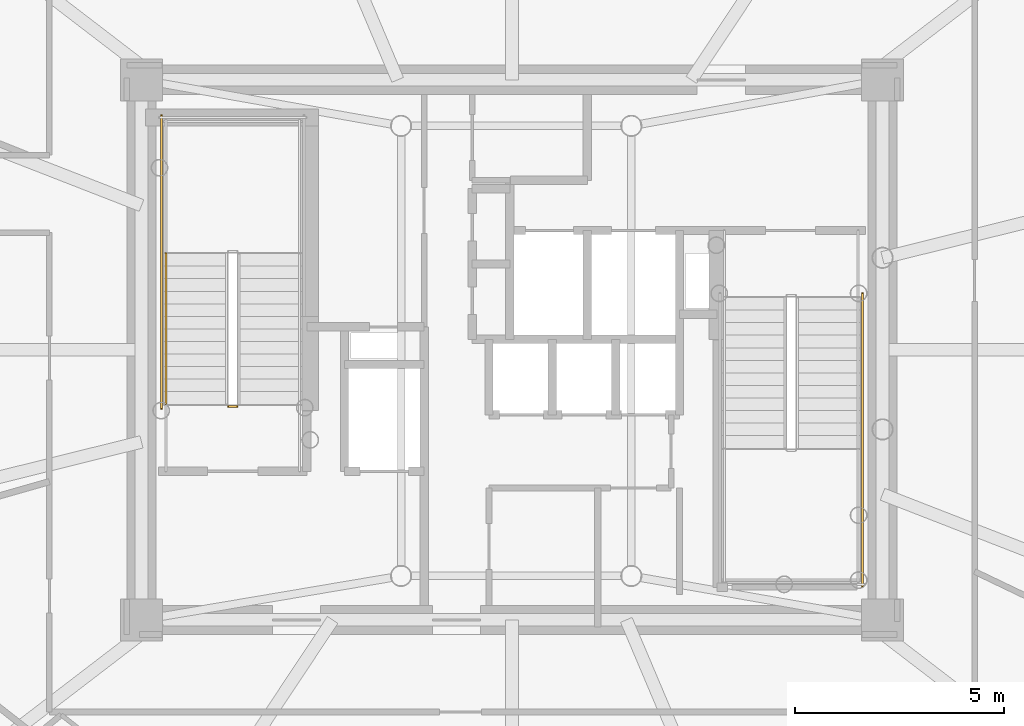
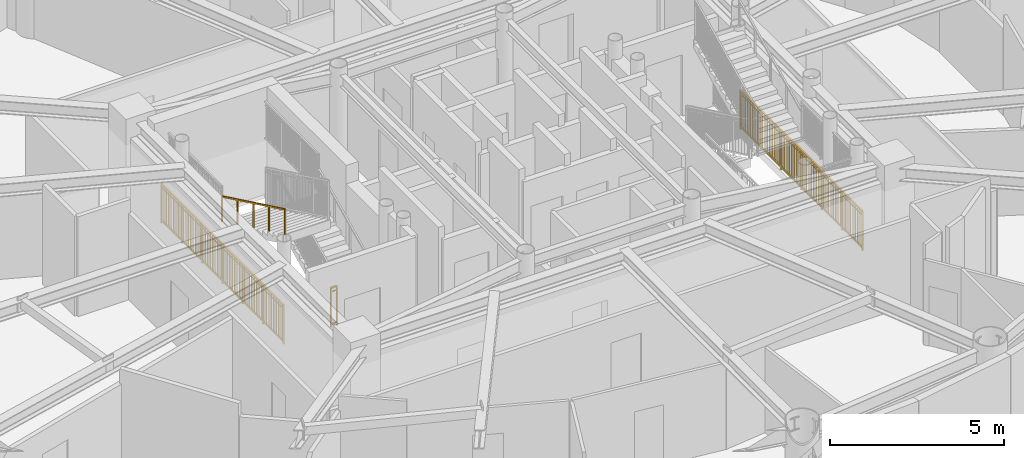
# One storey, part 13 of 17: 4 railings.
"""IFC4 building model written with IfcOpenShell, lengths in metres."""

import ifcopenshell
import ifcopenshell.guid

model = None  # the IFC model being written
_history = None  # IfcOwnerHistory: only IFC2X3 demands one
_inside = {}  # id of a spatial element -> (the spatial element, [elements in it])
_under = {}  # id of a project, library or spatial element -> (it, [spatial elements below it])
_declared = {}  # id of a project -> (the project, [libraries it declares])
_typed = {}  # id of a type object -> (the type object, [elements of that type])
_made_of = {}  # id of a material, layer set ... -> (it, [elements and type objects made of it])


def new_model(schema):
    """Start an empty IFC model of exactly this schema.

    Asked for "IFC4X3", IfcOpenShell would pick the latest addendum, in which some entities
    have other attributes; the version numbers below select the first issue.
    IFC2X3 requires an IfcOwnerHistory on every rooted entity: one is made here for all.
    """
    global model, _history
    if schema == "IFC4X3":
        model = ifcopenshell.file(schema_version=(4, 3, 0, 0))
    else:
        model = ifcopenshell.file(schema=schema)
    _inside.clear()
    _under.clear()
    _declared.clear()
    _typed.clear()
    _made_of.clear()
    _history = None
    if model.schema == "IFC2X3":
        org = make("IfcOrganization", Name="unknown")
        user = make(
            "IfcPersonAndOrganization",
            ThePerson=make("IfcPerson", FamilyName="unknown"),
            TheOrganization=org,
        )
        app = make(
            "IfcApplication",
            ApplicationDeveloper=org,
            Version="unknown",
            ApplicationFullName="unknown",
            ApplicationIdentifier="unknown",
        )
        _history = make(
            "IfcOwnerHistory",
            OwningUser=user,
            OwningApplication=app,
            ChangeAction="ADDED",
            CreationDate=0,
        )
    return model


def make(cls, **values):
    """One entity of the class cls with the attributes given. An attribute that is None is left unset."""
    return model.create_entity(
        cls, **{name: value for name, value in values.items() if value is not None}
    )


def rooted(cls, **values):
    """An entity with a GlobalId (a new one), such as an element, a storey or a relation."""
    return make(cls, GlobalId=ifcopenshell.guid.new(), OwnerHistory=_history, **values)


def si_unit(unit_type, name, prefix=None):
    """IfcSIUnit, for example si_unit("LENGTHUNIT", "METRE", prefix="MILLI")."""
    return make("IfcSIUnit", UnitType=unit_type, Prefix=prefix, Name=name)


def assignment(units):
    """IfcUnitAssignment: the units of a project."""
    return None if units is None else make("IfcUnitAssignment", Units=units)


def point(xyz):
    """IfcCartesianPoint."""
    return None if xyz is None else make("IfcCartesianPoint", Coordinates=xyz)


def direction(xyz):
    """IfcDirection."""
    return None if xyz is None else make("IfcDirection", DirectionRatios=xyz)


def frame(location, z_axis=None, x_axis=None):
    """IfcAxis2Placement3D, a coordinate frame: its origin and axes. An axis left out is left unset."""
    return make(
        "IfcAxis2Placement3D",
        Location=point(location),
        Axis=direction(z_axis),
        RefDirection=direction(x_axis),
    )


def frame_2d(location, x_axis=None):
    """IfcAxis2Placement2D, a coordinate frame in the plane: its origin and x axis."""
    return make(
        "IfcAxis2Placement2D", Location=point(location), RefDirection=direction(x_axis)
    )


def origin():
    """The frame at (0, 0, 0) with its axes left unset."""
    return frame((0.0, 0.0, 0.0))


def origin_2d():
    """The frame at (0, 0) in the plane with its x axis left unset."""
    return frame_2d((0.0, 0.0))


def place(relative_to, where):
    """IfcLocalPlacement: puts the frame where relative to a parent placement (None: the world)."""
    return make(
        "IfcLocalPlacement", PlacementRelTo=relative_to, RelativePlacement=where
    )


def context(
    kind, dimensions, precision=None, world=None, true_north=None, identifier=None
):
    """IfcGeometricRepresentationContext, for example the 3D "Model" context."""
    return make(
        "IfcGeometricRepresentationContext",
        ContextIdentifier=identifier,
        ContextType=kind,
        CoordinateSpaceDimension=dimensions,
        Precision=precision,
        WorldCoordinateSystem=world,
        TrueNorth=true_north,
    )


def subcontext(parent, identifier, kind, view, scale=None):
    """IfcGeometricRepresentationSubContext, for example "Body" below "Model"."""
    return make(
        "IfcGeometricRepresentationSubContext",
        ContextIdentifier=identifier,
        ContextType=kind,
        ParentContext=parent,
        TargetScale=scale,
        TargetView=view,
    )


def project(units=None, contexts=None):
    """IfcProject with its units and contexts."""
    return rooted(
        "IfcProject",
        Name="project",
        RepresentationContexts=contexts,
        UnitsInContext=assignment(units),
    )


def spatial(cls, under=None, at=None, **own):
    """A site, building, storey or space (cls), placed at a placement, below another one or the project."""
    s = rooted(cls, ObjectPlacement=at, **own)
    if under is not None:
        _under.setdefault(under.id(), (under, []))[1].append(s)
    return s


def profile(cls, at=None, kind="AREA", **sizes):
    """A parametric profile (cls). Its sizes go by their IFC names, for example OverallWidth=200.0."""
    return make(cls, ProfileType=kind, Position=at, **sizes)


def rectangle(**sizes):
    """IfcRectangleProfileDef."""
    return profile("IfcRectangleProfileDef", **sizes)


def extrude(swept, where, along, depth):
    """IfcExtrudedAreaSolid: the profile swept, set in the frame where, extruded along a direction by depth."""
    return make(
        "IfcExtrudedAreaSolid",
        SweptArea=swept,
        Position=where,
        ExtrudedDirection=direction(along),
        Depth=depth,
    )


def shape(context_of_items, identifier, shape_type, items):
    """IfcShapeRepresentation: the items that make up one representation, for example the "Body"."""
    return make(
        "IfcShapeRepresentation",
        ContextOfItems=context_of_items,
        RepresentationIdentifier=identifier,
        RepresentationType=shape_type,
        Items=items,
    )


def source(mapping_origin, context_of_items, identifier, shape_type, items):
    """IfcRepresentationMap: a shape defined once, which mapped items show again and again."""
    return make(
        "IfcRepresentationMap",
        MappingOrigin=mapping_origin,
        MappedRepresentation=shape(context_of_items, identifier, shape_type, items),
    )


def transform(
    local_origin,
    x_axis=None,
    y_axis=None,
    z_axis=None,
    scale=None,
    scale2=None,
    scale3=None,
    uniform=True,
):
    """IfcCartesianTransformationOperator3D, or its non-uniform kind. x_axis, y_axis, z_axis: its Axis1, 2, 3."""
    if uniform:
        return make(
            "IfcCartesianTransformationOperator3D",
            Axis1=direction(x_axis),
            Axis2=direction(y_axis),
            LocalOrigin=point(local_origin),
            Scale=scale,
            Axis3=direction(z_axis),
        )
    return make(
        "IfcCartesianTransformationOperator3DnonUniform",
        Axis1=direction(x_axis),
        Axis2=direction(y_axis),
        LocalOrigin=point(local_origin),
        Scale=scale,
        Axis3=direction(z_axis),
        Scale2=scale2,
        Scale3=scale3,
    )


def mapped(mapping_source, mapping_target):
    """IfcMappedItem: shows the shape of a source again, moved by a transform."""
    return make(
        "IfcMappedItem", MappingSource=mapping_source, MappingTarget=mapping_target
    )


def material(Name=None, Category=None):
    """IfcMaterial."""
    return make("IfcMaterial", Name=Name, Category=Category)


def made_of(thing, what):
    """Note that an element or type object is made of a material, layer set ...; save() writes the relation."""
    if what is not None:
        _made_of.setdefault(what.id(), (what, []))[1].append(thing)
    return thing


def type_object(cls, material=None, **own):
    """A type object (cls), such as IfcWallType, which elements share."""
    return made_of(rooted(cls, **own), material)


def element(
    cls,
    number,
    at=None,
    inside=None,
    cuts=None,
    type_object=None,
    material=None,
    context=None,
    identifier="Body",
    shape_type=None,
    held_by="IfcProductDefinitionShape",
    body=None,
    shapes=None,
    **own,
):
    """One element of the class cls, such as IfcWall. Its Tag is "e" and its number.

    at: its placement. inside: the storey or other place that contains it. cuts: it is an
    opening in that element (IfcRelVoidsElement). A single representation is given by context,
    identifier, shape_type and body (its items); several are given by shapes. held_by: the class
    of the entity that holds the representations. save() writes the other relations.
    """
    e = rooted(cls, Tag="e%d" % number, ObjectPlacement=at, **own)
    if body is not None:
        shapes = [shape(context, identifier, shape_type, body)]
    if shapes is not None:
        e.Representation = make(held_by, Representations=shapes)
    if inside is not None:
        _inside.setdefault(inside.id(), (inside, []))[1].append(e)
    if cuts is not None:
        rooted(
            "IfcRelVoidsElement", RelatingBuildingElement=cuts, RelatedOpeningElement=e
        )
    if type_object is not None:
        _typed.setdefault(type_object.id(), (type_object, []))[1].append(e)
    return made_of(e, material)


def aggregate(whole, parts):
    """IfcRelAggregates: a whole, such as a stair, and the parts it consists of."""
    return rooted("IfcRelAggregates", RelatingObject=whole, RelatedObjects=parts)


def save(model, path):
    """Write the relations noted so far, then the file.

    IfcRelAggregates (storeys below a building ...), IfcRelContainedInSpatialStructure (elements
    in a storey), IfcRelDefinesByType, IfcRelAssociatesMaterial and IfcRelDeclares: one each for
    every whole, place, type object, material and project.
    """
    for whole, parts in _under.values():
        aggregate(whole, parts)
    for where, things in _inside.values():
        rooted(
            "IfcRelContainedInSpatialStructure",
            RelatedElements=things,
            RelatingStructure=where,
        )
    for kind, things in _typed.values():
        rooted("IfcRelDefinesByType", RelatedObjects=things, RelatingType=kind)
    for what, things in _made_of.values():
        rooted("IfcRelAssociatesMaterial", RelatedObjects=things, RelatingMaterial=what)
    for by, libraries in _declared.values():
        rooted("IfcRelDeclares", RelatingContext=by, RelatedDefinitions=libraries)
    model.write(path)


model = new_model("IFC4")

# Units and contexts
model_context = context("Model", 3, precision=1e-05, world=origin(), true_north=direction((0.0, 1.0)))
body_context = subcontext(model_context, "Body", "Model", "MODEL_VIEW")
ifc_project = project(units=[si_unit("LENGTHUNIT", "METRE"), si_unit("AREAUNIT", "SQUARE_METRE"), si_unit("VOLUMEUNIT", "CUBIC_METRE"), si_unit("PLANEANGLEUNIT", "RADIAN"), si_unit("MASSUNIT", "GRAM", prefix="KILO")], contexts=[model_context])

# Site, building, storey
site_placement = place(None, origin())
site = spatial("IfcSite", under=ifc_project, at=site_placement, CompositionType="ELEMENT")
building_placement = place(site_placement, origin())
building = spatial("IfcBuilding", under=site, at=building_placement, Name="Linh Dai School and Residence Tower", CompositionType="ELEMENT")
storey_placement = place(building_placement, frame((0.0, 0.0, 310.5)))
storey = spatial("IfcBuildingStorey", under=building, at=storey_placement, Name="L77", CompositionType="ELEMENT", Elevation=310.5)

# Railings
ifc_material_1 = material(Name="Structural Steel S355JR", Category="steel")
railing_type_1 = type_object("IfcRailingType", Name="RL-ST-GUARD-1400", PredefinedType="GUARDRAIL", material=ifc_material_1)
shared_shape_1 = source(origin(), body_context, "Body", "SweptSolid", [
    extrude(rectangle(XDim=0.048095703125, YDim=0.048095703125, at=origin_2d()), frame((0.0, 0.0, 1.3759765625), z_axis=(-1.0, 0.0, 0.0), x_axis=(0.0, -1.0, 0.0)), (0.0, 0.0, 1.0), 0.199951171875),
    extrude(rectangle(XDim=0.048095703125, YDim=0.048095703125, at=origin_2d()), frame((0.0, 0.0, 0.10009765625), z_axis=(-1.0, 0.0, 0.0), x_axis=(0.0, -1.0, 0.0)), (0.0, 0.0, 1.0), 0.199951171875),
    extrude(rectangle(XDim=0.030029296875, YDim=0.030029296875, at=origin_2d()), frame((0.0, 0.0, 1.239990234375), z_axis=(-1.0, 0.0, 0.0), x_axis=(0.0, -1.0, 0.0)), (0.0, 0.0, 1.0), 0.199951171875),
    extrude(rectangle(XDim=0.0419921875, YDim=0.0419921875, at=origin_2d()), origin(), (0.0, 0.0, 1.0), 1.3759765625),
    extrude(rectangle(XDim=0.0419921875, YDim=0.0419921875, at=origin_2d()), frame((-0.199951171875, 0.0, 0.0)), (0.0, 0.0, 1.0), 1.3759765625),
])
railing_1_placement = place(storey_placement, frame((29.429931640625, 25.64990234375, 0.0)))
element("IfcRailing", 1, at=railing_1_placement, inside=storey, type_object=railing_type_1, Name="L77 ST1 stair guard 7", PredefinedType="GUARDRAIL", context=body_context, shape_type="MappedRepresentation", body=[
    mapped(shared_shape_1, transform((0.0, 0.0, 0.0), x_axis=(1.0, 0.0, 0.0), y_axis=(0.0, 1.0, 0.0), z_axis=(0.0, 0.0, 1.0), scale=1.0)),
])
shared_shape_2 = source(origin(), body_context, "Body", "SweptSolid", [
    extrude(rectangle(XDim=0.048095703125, YDim=0.048095703125, at=origin_2d()), frame((0.0, 0.0, 1.3759765625), z_axis=(0.0, 1.0, 0.0), x_axis=(-1.0, 0.0, 0.0)), (0.0, 0.0, 1.0), 7.0),
    extrude(rectangle(XDim=0.048095703125, YDim=0.048095703125, at=origin_2d()), frame((0.0, 0.0, 0.10009765625), z_axis=(0.0, 1.0, 0.0), x_axis=(-1.0, 0.0, 0.0)), (0.0, 0.0, 1.0), 7.0),
    extrude(rectangle(XDim=0.030029296875, YDim=0.030029296875, at=origin_2d()), frame((0.0, 0.0, 1.239990234375), z_axis=(0.0, 1.0, 0.0), x_axis=(-1.0, 0.0, 0.0)), (0.0, 0.0, 1.0), 7.0),
    extrude(rectangle(XDim=0.02001953125, YDim=0.02001953125, at=origin_2d()), frame((0.0, 0.09716796875, 0.10009765625)), (0.0, 0.0, 1.0), 1.251708984375),
    extrude(rectangle(XDim=0.02001953125, YDim=0.02001953125, at=origin_2d()), frame((0.0, 0.1943359375, 0.10009765625)), (0.0, 0.0, 1.0), 1.251708984375),
    extrude(rectangle(XDim=0.02001953125, YDim=0.02001953125, at=origin_2d()), frame((0.0, 0.291748046875, 0.10009765625)), (0.0, 0.0, 1.0), 1.251708984375),
    extrude(rectangle(XDim=0.02001953125, YDim=0.02001953125, at=origin_2d()), frame((0.0, 0.388916015625, 0.10009765625)), (0.0, 0.0, 1.0), 1.251708984375),
    extrude(rectangle(XDim=0.02001953125, YDim=0.02001953125, at=origin_2d()), frame((0.0, 0.486083984375, 0.10009765625)), (0.0, 0.0, 1.0), 1.251708984375),
    extrude(rectangle(XDim=0.02001953125, YDim=0.02001953125, at=origin_2d()), frame((0.0, 0.583251953125, 0.10009765625)), (0.0, 0.0, 1.0), 1.251708984375),
    extrude(rectangle(XDim=0.02001953125, YDim=0.02001953125, at=origin_2d()), frame((0.0, 0.6806640625, 0.10009765625)), (0.0, 0.0, 1.0), 1.251708984375),
    extrude(rectangle(XDim=0.02001953125, YDim=0.02001953125, at=origin_2d()), frame((0.0, 0.77783203125, 0.10009765625)), (0.0, 0.0, 1.0), 1.251708984375),
    extrude(rectangle(XDim=0.02001953125, YDim=0.02001953125, at=origin_2d()), frame((0.0, 0.875, 0.10009765625)), (0.0, 0.0, 1.0), 1.251708984375),
    extrude(rectangle(XDim=0.02001953125, YDim=0.02001953125, at=origin_2d()), frame((0.0, 0.97216796875, 0.10009765625)), (0.0, 0.0, 1.0), 1.251708984375),
    extrude(rectangle(XDim=0.02001953125, YDim=0.02001953125, at=origin_2d()), frame((0.0, 1.0693359375, 0.10009765625)), (0.0, 0.0, 1.0), 1.251708984375),
    extrude(rectangle(XDim=0.02001953125, YDim=0.02001953125, at=origin_2d()), frame((0.0, 1.263916015625, 0.10009765625)), (0.0, 0.0, 1.0), 1.251708984375),
    extrude(rectangle(XDim=0.02001953125, YDim=0.02001953125, at=origin_2d()), frame((0.0, 1.361083984375, 0.10009765625)), (0.0, 0.0, 1.0), 1.251708984375),
    extrude(rectangle(XDim=0.02001953125, YDim=0.02001953125, at=origin_2d()), frame((0.0, 1.458251953125, 0.10009765625)), (0.0, 0.0, 1.0), 1.251708984375),
    extrude(rectangle(XDim=0.02001953125, YDim=0.02001953125, at=origin_2d()), frame((0.0, 1.5556640625, 0.10009765625)), (0.0, 0.0, 1.0), 1.251708984375),
    extrude(rectangle(XDim=0.02001953125, YDim=0.02001953125, at=origin_2d()), frame((0.0, 1.65283203125, 0.10009765625)), (0.0, 0.0, 1.0), 1.251708984375),
    extrude(rectangle(XDim=0.02001953125, YDim=0.02001953125, at=origin_2d()), frame((0.0, 1.75, 0.10009765625)), (0.0, 0.0, 1.0), 1.251708984375),
    extrude(rectangle(XDim=0.02001953125, YDim=0.02001953125, at=origin_2d()), frame((0.0, 1.84716796875, 0.10009765625)), (0.0, 0.0, 1.0), 1.251708984375),
    extrude(rectangle(XDim=0.02001953125, YDim=0.02001953125, at=origin_2d()), frame((0.0, 1.9443359375, 0.10009765625)), (0.0, 0.0, 1.0), 1.251708984375),
    extrude(rectangle(XDim=0.02001953125, YDim=0.02001953125, at=origin_2d()), frame((0.0, 2.041748046875, 0.10009765625)), (0.0, 0.0, 1.0), 1.251708984375),
    extrude(rectangle(XDim=0.02001953125, YDim=0.02001953125, at=origin_2d()), frame((0.0, 2.138916015625, 0.10009765625)), (0.0, 0.0, 1.0), 1.251708984375),
    extrude(rectangle(XDim=0.02001953125, YDim=0.02001953125, at=origin_2d()), frame((0.0, 2.236083984375, 0.10009765625)), (0.0, 0.0, 1.0), 1.251708984375),
    extrude(rectangle(XDim=0.02001953125, YDim=0.02001953125, at=origin_2d()), frame((0.0, 2.4306640625, 0.10009765625)), (0.0, 0.0, 1.0), 1.251708984375),
    extrude(rectangle(XDim=0.02001953125, YDim=0.02001953125, at=origin_2d()), frame((0.0, 2.52783203125, 0.10009765625)), (0.0, 0.0, 1.0), 1.251708984375),
    extrude(rectangle(XDim=0.02001953125, YDim=0.02001953125, at=origin_2d()), frame((0.0, 2.625, 0.10009765625)), (0.0, 0.0, 1.0), 1.251708984375),
    extrude(rectangle(XDim=0.02001953125, YDim=0.02001953125, at=origin_2d()), frame((0.0, 2.72216796875, 0.10009765625)), (0.0, 0.0, 1.0), 1.251708984375),
    extrude(rectangle(XDim=0.02001953125, YDim=0.02001953125, at=origin_2d()), frame((0.0, 2.8193359375, 0.10009765625)), (0.0, 0.0, 1.0), 1.251708984375),
    extrude(rectangle(XDim=0.02001953125, YDim=0.02001953125, at=origin_2d()), frame((0.0, 2.916748046875, 0.10009765625)), (0.0, 0.0, 1.0), 1.251708984375),
    extrude(rectangle(XDim=0.02001953125, YDim=0.02001953125, at=origin_2d()), frame((0.0, 3.013916015625, 0.10009765625)), (0.0, 0.0, 1.0), 1.251708984375),
    extrude(rectangle(XDim=0.02001953125, YDim=0.02001953125, at=origin_2d()), frame((0.0, 3.111083984375, 0.10009765625)), (0.0, 0.0, 1.0), 1.251708984375),
    extrude(rectangle(XDim=0.02001953125, YDim=0.02001953125, at=origin_2d()), frame((0.0, 3.208251953125, 0.10009765625)), (0.0, 0.0, 1.0), 1.251708984375),
    extrude(rectangle(XDim=0.02001953125, YDim=0.02001953125, at=origin_2d()), frame((0.0, 3.3056640625, 0.10009765625)), (0.0, 0.0, 1.0), 1.251708984375),
    extrude(rectangle(XDim=0.02001953125, YDim=0.02001953125, at=origin_2d()), frame((0.0, 3.40283203125, 0.10009765625)), (0.0, 0.0, 1.0), 1.251708984375),
    extrude(rectangle(XDim=0.02001953125, YDim=0.02001953125, at=origin_2d()), frame((0.0, 3.59716796875, 0.10009765625)), (0.0, 0.0, 1.0), 1.251708984375),
    extrude(rectangle(XDim=0.02001953125, YDim=0.02001953125, at=origin_2d()), frame((0.0, 3.6943359375, 0.10009765625)), (0.0, 0.0, 1.0), 1.251708984375),
    extrude(rectangle(XDim=0.02001953125, YDim=0.02001953125, at=origin_2d()), frame((0.0, 3.791748046875, 0.10009765625)), (0.0, 0.0, 1.0), 1.251708984375),
    extrude(rectangle(XDim=0.02001953125, YDim=0.02001953125, at=origin_2d()), frame((0.0, 3.888916015625, 0.10009765625)), (0.0, 0.0, 1.0), 1.251708984375),
    extrude(rectangle(XDim=0.02001953125, YDim=0.02001953125, at=origin_2d()), frame((0.0, 3.986083984375, 0.10009765625)), (0.0, 0.0, 1.0), 1.251708984375),
    extrude(rectangle(XDim=0.02001953125, YDim=0.02001953125, at=origin_2d()), frame((0.0, 4.083251953125, 0.10009765625)), (0.0, 0.0, 1.0), 1.251708984375),
    extrude(rectangle(XDim=0.02001953125, YDim=0.02001953125, at=origin_2d()), frame((0.0, 4.1806640625, 0.10009765625)), (0.0, 0.0, 1.0), 1.251708984375),
    extrude(rectangle(XDim=0.02001953125, YDim=0.02001953125, at=origin_2d()), frame((0.0, 4.27783203125, 0.10009765625)), (0.0, 0.0, 1.0), 1.251708984375),
    extrude(rectangle(XDim=0.02001953125, YDim=0.02001953125, at=origin_2d()), frame((0.0, 4.375, 0.10009765625)), (0.0, 0.0, 1.0), 1.251708984375),
    extrude(rectangle(XDim=0.02001953125, YDim=0.02001953125, at=origin_2d()), frame((0.0, 4.47216796875, 0.10009765625)), (0.0, 0.0, 1.0), 1.251708984375),
    extrude(rectangle(XDim=0.02001953125, YDim=0.02001953125, at=origin_2d()), frame((0.0, 4.5693359375, 0.10009765625)), (0.0, 0.0, 1.0), 1.251708984375),
    extrude(rectangle(XDim=0.02001953125, YDim=0.02001953125, at=origin_2d()), frame((0.0, 4.763916015625, 0.10009765625)), (0.0, 0.0, 1.0), 1.251708984375),
    extrude(rectangle(XDim=0.02001953125, YDim=0.02001953125, at=origin_2d()), frame((0.0, 4.861083984375, 0.10009765625)), (0.0, 0.0, 1.0), 1.251708984375),
    extrude(rectangle(XDim=0.02001953125, YDim=0.02001953125, at=origin_2d()), frame((0.0, 4.958251953125, 0.10009765625)), (0.0, 0.0, 1.0), 1.251708984375),
    extrude(rectangle(XDim=0.02001953125, YDim=0.02001953125, at=origin_2d()), frame((0.0, 5.0556640625, 0.10009765625)), (0.0, 0.0, 1.0), 1.251708984375),
    extrude(rectangle(XDim=0.02001953125, YDim=0.02001953125, at=origin_2d()), frame((0.0, 5.15283203125, 0.10009765625)), (0.0, 0.0, 1.0), 1.251708984375),
    extrude(rectangle(XDim=0.02001953125, YDim=0.02001953125, at=origin_2d()), frame((0.0, 5.25, 0.10009765625)), (0.0, 0.0, 1.0), 1.251708984375),
    extrude(rectangle(XDim=0.02001953125, YDim=0.02001953125, at=origin_2d()), frame((0.0, 5.34716796875, 0.10009765625)), (0.0, 0.0, 1.0), 1.251708984375),
    extrude(rectangle(XDim=0.02001953125, YDim=0.02001953125, at=origin_2d()), frame((0.0, 5.4443359375, 0.10009765625)), (0.0, 0.0, 1.0), 1.251708984375),
    extrude(rectangle(XDim=0.02001953125, YDim=0.02001953125, at=origin_2d()), frame((0.0, 5.541748046875, 0.10009765625)), (0.0, 0.0, 1.0), 1.251708984375),
    extrude(rectangle(XDim=0.02001953125, YDim=0.02001953125, at=origin_2d()), frame((0.0, 5.638916015625, 0.10009765625)), (0.0, 0.0, 1.0), 1.251708984375),
    extrude(rectangle(XDim=0.02001953125, YDim=0.02001953125, at=origin_2d()), frame((0.0, 5.736083984375, 0.10009765625)), (0.0, 0.0, 1.0), 1.251708984375),
    extrude(rectangle(XDim=0.02001953125, YDim=0.02001953125, at=origin_2d()), frame((0.0, 5.9306640625, 0.10009765625)), (0.0, 0.0, 1.0), 1.251708984375),
    extrude(rectangle(XDim=0.02001953125, YDim=0.02001953125, at=origin_2d()), frame((0.0, 6.02783203125, 0.10009765625)), (0.0, 0.0, 1.0), 1.251708984375),
    extrude(rectangle(XDim=0.02001953125, YDim=0.02001953125, at=origin_2d()), frame((0.0, 6.125, 0.10009765625)), (0.0, 0.0, 1.0), 1.251708984375),
    extrude(rectangle(XDim=0.02001953125, YDim=0.02001953125, at=origin_2d()), frame((0.0, 6.22216796875, 0.10009765625)), (0.0, 0.0, 1.0), 1.251708984375),
    extrude(rectangle(XDim=0.02001953125, YDim=0.02001953125, at=origin_2d()), frame((0.0, 6.3193359375, 0.10009765625)), (0.0, 0.0, 1.0), 1.251708984375),
    extrude(rectangle(XDim=0.02001953125, YDim=0.02001953125, at=origin_2d()), frame((0.0, 6.416748046875, 0.10009765625)), (0.0, 0.0, 1.0), 1.251708984375),
    extrude(rectangle(XDim=0.02001953125, YDim=0.02001953125, at=origin_2d()), frame((0.0, 6.513916015625, 0.10009765625)), (0.0, 0.0, 1.0), 1.251708984375),
    extrude(rectangle(XDim=0.02001953125, YDim=0.02001953125, at=origin_2d()), frame((0.0, 6.611083984375, 0.10009765625)), (0.0, 0.0, 1.0), 1.251708984375),
    extrude(rectangle(XDim=0.02001953125, YDim=0.02001953125, at=origin_2d()), frame((0.0, 6.708251953125, 0.10009765625)), (0.0, 0.0, 1.0), 1.251708984375),
    extrude(rectangle(XDim=0.02001953125, YDim=0.02001953125, at=origin_2d()), frame((0.0, 6.8056640625, 0.10009765625)), (0.0, 0.0, 1.0), 1.251708984375),
    extrude(rectangle(XDim=0.02001953125, YDim=0.02001953125, at=origin_2d()), frame((0.0, 6.90283203125, 0.10009765625)), (0.0, 0.0, 1.0), 1.251708984375),
    extrude(rectangle(XDim=0.0419921875, YDim=0.0419921875, at=origin_2d()), origin(), (0.0, 0.0, 1.0), 1.3759765625),
    extrude(rectangle(XDim=0.0419921875, YDim=0.0419921875, at=origin_2d()), frame((0.0, 1.166748046875, 0.0)), (0.0, 0.0, 1.0), 1.3759765625),
    extrude(rectangle(XDim=0.0419921875, YDim=0.0419921875, at=origin_2d()), frame((0.0, 2.333251953125, 0.0)), (0.0, 0.0, 1.0), 1.3759765625),
    extrude(rectangle(XDim=0.0419921875, YDim=0.0419921875, at=origin_2d()), frame((0.0, 3.5, 0.0)), (0.0, 0.0, 1.0), 1.3759765625),
    extrude(rectangle(XDim=0.0419921875, YDim=0.0419921875, at=origin_2d()), frame((0.0, 4.666748046875, 0.0)), (0.0, 0.0, 1.0), 1.3759765625),
    extrude(rectangle(XDim=0.0419921875, YDim=0.0419921875, at=origin_2d()), frame((0.0, 5.833251953125, 0.0)), (0.0, 0.0, 1.0), 1.3759765625),
    extrude(rectangle(XDim=0.0419921875, YDim=0.0419921875, at=origin_2d()), frame((0.0, 7.0, 0.0)), (0.0, 0.0, 1.0), 1.3759765625),
])
railing_2_placement = place(storey_placement, frame((27.6298828125, 25.60009765625, 0.0)))
element("IfcRailing", 2, at=railing_2_placement, inside=storey, type_object=railing_type_1, Name="L77 ST1 stair guard 11", PredefinedType="GUARDRAIL", context=body_context, shape_type="MappedRepresentation", body=[
    mapped(shared_shape_2, transform((0.0, 0.0, 0.0), x_axis=(1.0, 0.0, 0.0), y_axis=(0.0, 1.0, 0.0), z_axis=(0.0, 0.0, 1.0), scale=1.0)),
])
ifc_material_2 = material(Name="Brushed Stainless Steel Handrail", Category="steel")
railing_type_2 = type_object("IfcRailingType", Name="RL-ST-HANDRAIL-900", PredefinedType="HANDRAIL", material=ifc_material_2)
shared_shape_3 = source(origin(), body_context, "Body", "SweptSolid", [
    extrude(rectangle(XDim=0.048095703125, YDim=0.048095703125, at=origin_2d()), frame((0.0, 0.0, 0.8759765625), z_axis=(0.0, -0.901262522062, 0.433273431364), x_axis=(1.0, 0.0, 0.0)), (0.0, 0.0, 1.0), 3.994384765625),
    extrude(rectangle(XDim=0.0419921875, YDim=0.0419921875, at=origin_2d()), origin(), (0.0, 0.0, 1.0), 0.8759765625),
    extrude(rectangle(XDim=0.0419921875, YDim=0.0419921875, at=origin_2d()), frame((0.0, -0.89990234375, 0.4326171875)), (0.0, 0.0, 1.0), 0.8759765625),
    extrude(rectangle(XDim=0.0419921875, YDim=0.0419921875, at=origin_2d()), frame((0.0, -1.800048828125, 0.865234375)), (0.0, 0.0, 1.0), 0.8759765625),
    extrude(rectangle(XDim=0.0419921875, YDim=0.0419921875, at=origin_2d()), frame((0.0, -2.7001953125, 1.298095703125)), (0.0, 0.0, 1.0), 0.8759765625),
    extrude(rectangle(XDim=0.0419921875, YDim=0.0419921875, at=origin_2d()), frame((0.0, -3.60009765625, 1.730712890625)), (0.0, 0.0, 1.0), 0.8759765625),
])
railing_3_placement = place(storey_placement, frame((27.72998046875, 29.300048828125, 2.019287109375)))
element("IfcRailing", 3, at=railing_3_placement, inside=storey, type_object=railing_type_2, Name="L77 ST1 stair handrail 2", PredefinedType="HANDRAIL", context=body_context, shape_type="MappedRepresentation", body=[
    mapped(shared_shape_3, transform((0.0, 0.0, 0.0), x_axis=(1.0, 0.0, 0.0), y_axis=(0.0, 1.0, 0.0), z_axis=(0.0, 0.0, 1.0), scale=1.0)),
])
shared_shape_4 = source(origin(), body_context, "Body", "SweptSolid", [
    extrude(rectangle(XDim=0.048095703125, YDim=0.048095703125, at=origin_2d()), frame((0.0, 0.0, 1.3759765625), z_axis=(0.0, -1.0, 0.0), x_axis=(1.0, 0.0, 0.0)), (0.0, 0.0, 1.0), 7.0),
    extrude(rectangle(XDim=0.048095703125, YDim=0.048095703125, at=origin_2d()), frame((0.0, 0.0, 0.10009765625), z_axis=(0.0, -1.0, 0.0), x_axis=(1.0, 0.0, 0.0)), (0.0, 0.0, 1.0), 7.0),
    extrude(rectangle(XDim=0.030029296875, YDim=0.030029296875, at=origin_2d()), frame((0.0, 0.0, 1.239990234375), z_axis=(0.0, -1.0, 0.0), x_axis=(1.0, 0.0, 0.0)), (0.0, 0.0, 1.0), 7.0),
    extrude(rectangle(XDim=0.02001953125, YDim=0.02001953125, at=origin_2d()), frame((0.0, -0.09716796875, 0.10009765625)), (0.0, 0.0, 1.0), 1.251708984375),
    extrude(rectangle(XDim=0.02001953125, YDim=0.02001953125, at=origin_2d()), frame((0.0, -0.1943359375, 0.10009765625)), (0.0, 0.0, 1.0), 1.251708984375),
    extrude(rectangle(XDim=0.02001953125, YDim=0.02001953125, at=origin_2d()), frame((0.0, -0.291748046875, 0.10009765625)), (0.0, 0.0, 1.0), 1.251708984375),
    extrude(rectangle(XDim=0.02001953125, YDim=0.02001953125, at=origin_2d()), frame((0.0, -0.388916015625, 0.10009765625)), (0.0, 0.0, 1.0), 1.251708984375),
    extrude(rectangle(XDim=0.02001953125, YDim=0.02001953125, at=origin_2d()), frame((0.0, -0.486083984375, 0.10009765625)), (0.0, 0.0, 1.0), 1.251708984375),
    extrude(rectangle(XDim=0.02001953125, YDim=0.02001953125, at=origin_2d()), frame((0.0, -0.583251953125, 0.10009765625)), (0.0, 0.0, 1.0), 1.251708984375),
    extrude(rectangle(XDim=0.02001953125, YDim=0.02001953125, at=origin_2d()), frame((0.0, -0.6806640625, 0.10009765625)), (0.0, 0.0, 1.0), 1.251708984375),
    extrude(rectangle(XDim=0.02001953125, YDim=0.02001953125, at=origin_2d()), frame((0.0, -0.77783203125, 0.10009765625)), (0.0, 0.0, 1.0), 1.251708984375),
    extrude(rectangle(XDim=0.02001953125, YDim=0.02001953125, at=origin_2d()), frame((0.0, -0.875, 0.10009765625)), (0.0, 0.0, 1.0), 1.251708984375),
    extrude(rectangle(XDim=0.02001953125, YDim=0.02001953125, at=origin_2d()), frame((0.0, -0.97216796875, 0.10009765625)), (0.0, 0.0, 1.0), 1.251708984375),
    extrude(rectangle(XDim=0.02001953125, YDim=0.02001953125, at=origin_2d()), frame((0.0, -1.0693359375, 0.10009765625)), (0.0, 0.0, 1.0), 1.251708984375),
    extrude(rectangle(XDim=0.02001953125, YDim=0.02001953125, at=origin_2d()), frame((0.0, -1.263916015625, 0.10009765625)), (0.0, 0.0, 1.0), 1.251708984375),
    extrude(rectangle(XDim=0.02001953125, YDim=0.02001953125, at=origin_2d()), frame((0.0, -1.361083984375, 0.10009765625)), (0.0, 0.0, 1.0), 1.251708984375),
    extrude(rectangle(XDim=0.02001953125, YDim=0.02001953125, at=origin_2d()), frame((0.0, -1.458251953125, 0.10009765625)), (0.0, 0.0, 1.0), 1.251708984375),
    extrude(rectangle(XDim=0.02001953125, YDim=0.02001953125, at=origin_2d()), frame((0.0, -1.5556640625, 0.10009765625)), (0.0, 0.0, 1.0), 1.251708984375),
    extrude(rectangle(XDim=0.02001953125, YDim=0.02001953125, at=origin_2d()), frame((0.0, -1.65283203125, 0.10009765625)), (0.0, 0.0, 1.0), 1.251708984375),
    extrude(rectangle(XDim=0.02001953125, YDim=0.02001953125, at=origin_2d()), frame((0.0, -1.75, 0.10009765625)), (0.0, 0.0, 1.0), 1.251708984375),
    extrude(rectangle(XDim=0.02001953125, YDim=0.02001953125, at=origin_2d()), frame((0.0, -1.84716796875, 0.10009765625)), (0.0, 0.0, 1.0), 1.251708984375),
    extrude(rectangle(XDim=0.02001953125, YDim=0.02001953125, at=origin_2d()), frame((0.0, -1.9443359375, 0.10009765625)), (0.0, 0.0, 1.0), 1.251708984375),
    extrude(rectangle(XDim=0.02001953125, YDim=0.02001953125, at=origin_2d()), frame((0.0, -2.041748046875, 0.10009765625)), (0.0, 0.0, 1.0), 1.251708984375),
    extrude(rectangle(XDim=0.02001953125, YDim=0.02001953125, at=origin_2d()), frame((0.0, -2.138916015625, 0.10009765625)), (0.0, 0.0, 1.0), 1.251708984375),
    extrude(rectangle(XDim=0.02001953125, YDim=0.02001953125, at=origin_2d()), frame((0.0, -2.236083984375, 0.10009765625)), (0.0, 0.0, 1.0), 1.251708984375),
    extrude(rectangle(XDim=0.02001953125, YDim=0.02001953125, at=origin_2d()), frame((0.0, -2.4306640625, 0.10009765625)), (0.0, 0.0, 1.0), 1.251708984375),
    extrude(rectangle(XDim=0.02001953125, YDim=0.02001953125, at=origin_2d()), frame((0.0, -2.52783203125, 0.10009765625)), (0.0, 0.0, 1.0), 1.251708984375),
    extrude(rectangle(XDim=0.02001953125, YDim=0.02001953125, at=origin_2d()), frame((0.0, -2.625, 0.10009765625)), (0.0, 0.0, 1.0), 1.251708984375),
    extrude(rectangle(XDim=0.02001953125, YDim=0.02001953125, at=origin_2d()), frame((0.0, -2.72216796875, 0.10009765625)), (0.0, 0.0, 1.0), 1.251708984375),
    extrude(rectangle(XDim=0.02001953125, YDim=0.02001953125, at=origin_2d()), frame((0.0, -2.8193359375, 0.10009765625)), (0.0, 0.0, 1.0), 1.251708984375),
    extrude(rectangle(XDim=0.02001953125, YDim=0.02001953125, at=origin_2d()), frame((0.0, -2.916748046875, 0.10009765625)), (0.0, 0.0, 1.0), 1.251708984375),
    extrude(rectangle(XDim=0.02001953125, YDim=0.02001953125, at=origin_2d()), frame((0.0, -3.013916015625, 0.10009765625)), (0.0, 0.0, 1.0), 1.251708984375),
    extrude(rectangle(XDim=0.02001953125, YDim=0.02001953125, at=origin_2d()), frame((0.0, -3.111083984375, 0.10009765625)), (0.0, 0.0, 1.0), 1.251708984375),
    extrude(rectangle(XDim=0.02001953125, YDim=0.02001953125, at=origin_2d()), frame((0.0, -3.208251953125, 0.10009765625)), (0.0, 0.0, 1.0), 1.251708984375),
    extrude(rectangle(XDim=0.02001953125, YDim=0.02001953125, at=origin_2d()), frame((0.0, -3.3056640625, 0.10009765625)), (0.0, 0.0, 1.0), 1.251708984375),
    extrude(rectangle(XDim=0.02001953125, YDim=0.02001953125, at=origin_2d()), frame((0.0, -3.40283203125, 0.10009765625)), (0.0, 0.0, 1.0), 1.251708984375),
    extrude(rectangle(XDim=0.02001953125, YDim=0.02001953125, at=origin_2d()), frame((0.0, -3.59716796875, 0.10009765625)), (0.0, 0.0, 1.0), 1.251708984375),
    extrude(rectangle(XDim=0.02001953125, YDim=0.02001953125, at=origin_2d()), frame((0.0, -3.6943359375, 0.10009765625)), (0.0, 0.0, 1.0), 1.251708984375),
    extrude(rectangle(XDim=0.02001953125, YDim=0.02001953125, at=origin_2d()), frame((0.0, -3.791748046875, 0.10009765625)), (0.0, 0.0, 1.0), 1.251708984375),
    extrude(rectangle(XDim=0.02001953125, YDim=0.02001953125, at=origin_2d()), frame((0.0, -3.888916015625, 0.10009765625)), (0.0, 0.0, 1.0), 1.251708984375),
    extrude(rectangle(XDim=0.02001953125, YDim=0.02001953125, at=origin_2d()), frame((0.0, -3.986083984375, 0.10009765625)), (0.0, 0.0, 1.0), 1.251708984375),
    extrude(rectangle(XDim=0.02001953125, YDim=0.02001953125, at=origin_2d()), frame((0.0, -4.083251953125, 0.10009765625)), (0.0, 0.0, 1.0), 1.251708984375),
    extrude(rectangle(XDim=0.02001953125, YDim=0.02001953125, at=origin_2d()), frame((0.0, -4.1806640625, 0.10009765625)), (0.0, 0.0, 1.0), 1.251708984375),
    extrude(rectangle(XDim=0.02001953125, YDim=0.02001953125, at=origin_2d()), frame((0.0, -4.27783203125, 0.10009765625)), (0.0, 0.0, 1.0), 1.251708984375),
    extrude(rectangle(XDim=0.02001953125, YDim=0.02001953125, at=origin_2d()), frame((0.0, -4.375, 0.10009765625)), (0.0, 0.0, 1.0), 1.251708984375),
    extrude(rectangle(XDim=0.02001953125, YDim=0.02001953125, at=origin_2d()), frame((0.0, -4.47216796875, 0.10009765625)), (0.0, 0.0, 1.0), 1.251708984375),
    extrude(rectangle(XDim=0.02001953125, YDim=0.02001953125, at=origin_2d()), frame((0.0, -4.5693359375, 0.10009765625)), (0.0, 0.0, 1.0), 1.251708984375),
    extrude(rectangle(XDim=0.02001953125, YDim=0.02001953125, at=origin_2d()), frame((0.0, -4.763916015625, 0.10009765625)), (0.0, 0.0, 1.0), 1.251708984375),
    extrude(rectangle(XDim=0.02001953125, YDim=0.02001953125, at=origin_2d()), frame((0.0, -4.861083984375, 0.10009765625)), (0.0, 0.0, 1.0), 1.251708984375),
    extrude(rectangle(XDim=0.02001953125, YDim=0.02001953125, at=origin_2d()), frame((0.0, -4.958251953125, 0.10009765625)), (0.0, 0.0, 1.0), 1.251708984375),
    extrude(rectangle(XDim=0.02001953125, YDim=0.02001953125, at=origin_2d()), frame((0.0, -5.0556640625, 0.10009765625)), (0.0, 0.0, 1.0), 1.251708984375),
    extrude(rectangle(XDim=0.02001953125, YDim=0.02001953125, at=origin_2d()), frame((0.0, -5.15283203125, 0.10009765625)), (0.0, 0.0, 1.0), 1.251708984375),
    extrude(rectangle(XDim=0.02001953125, YDim=0.02001953125, at=origin_2d()), frame((0.0, -5.25, 0.10009765625)), (0.0, 0.0, 1.0), 1.251708984375),
    extrude(rectangle(XDim=0.02001953125, YDim=0.02001953125, at=origin_2d()), frame((0.0, -5.34716796875, 0.10009765625)), (0.0, 0.0, 1.0), 1.251708984375),
    extrude(rectangle(XDim=0.02001953125, YDim=0.02001953125, at=origin_2d()), frame((0.0, -5.4443359375, 0.10009765625)), (0.0, 0.0, 1.0), 1.251708984375),
    extrude(rectangle(XDim=0.02001953125, YDim=0.02001953125, at=origin_2d()), frame((0.0, -5.541748046875, 0.10009765625)), (0.0, 0.0, 1.0), 1.251708984375),
    extrude(rectangle(XDim=0.02001953125, YDim=0.02001953125, at=origin_2d()), frame((0.0, -5.638916015625, 0.10009765625)), (0.0, 0.0, 1.0), 1.251708984375),
    extrude(rectangle(XDim=0.02001953125, YDim=0.02001953125, at=origin_2d()), frame((0.0, -5.736083984375, 0.10009765625)), (0.0, 0.0, 1.0), 1.251708984375),
    extrude(rectangle(XDim=0.02001953125, YDim=0.02001953125, at=origin_2d()), frame((0.0, -5.9306640625, 0.10009765625)), (0.0, 0.0, 1.0), 1.251708984375),
    extrude(rectangle(XDim=0.02001953125, YDim=0.02001953125, at=origin_2d()), frame((0.0, -6.02783203125, 0.10009765625)), (0.0, 0.0, 1.0), 1.251708984375),
    extrude(rectangle(XDim=0.02001953125, YDim=0.02001953125, at=origin_2d()), frame((0.0, -6.125, 0.10009765625)), (0.0, 0.0, 1.0), 1.251708984375),
    extrude(rectangle(XDim=0.02001953125, YDim=0.02001953125, at=origin_2d()), frame((0.0, -6.22216796875, 0.10009765625)), (0.0, 0.0, 1.0), 1.251708984375),
    extrude(rectangle(XDim=0.02001953125, YDim=0.02001953125, at=origin_2d()), frame((0.0, -6.3193359375, 0.10009765625)), (0.0, 0.0, 1.0), 1.251708984375),
    extrude(rectangle(XDim=0.02001953125, YDim=0.02001953125, at=origin_2d()), frame((0.0, -6.416748046875, 0.10009765625)), (0.0, 0.0, 1.0), 1.251708984375),
    extrude(rectangle(XDim=0.02001953125, YDim=0.02001953125, at=origin_2d()), frame((0.0, -6.513916015625, 0.10009765625)), (0.0, 0.0, 1.0), 1.251708984375),
    extrude(rectangle(XDim=0.02001953125, YDim=0.02001953125, at=origin_2d()), frame((0.0, -6.611083984375, 0.10009765625)), (0.0, 0.0, 1.0), 1.251708984375),
    extrude(rectangle(XDim=0.02001953125, YDim=0.02001953125, at=origin_2d()), frame((0.0, -6.708251953125, 0.10009765625)), (0.0, 0.0, 1.0), 1.251708984375),
    extrude(rectangle(XDim=0.02001953125, YDim=0.02001953125, at=origin_2d()), frame((0.0, -6.8056640625, 0.10009765625)), (0.0, 0.0, 1.0), 1.251708984375),
    extrude(rectangle(XDim=0.02001953125, YDim=0.02001953125, at=origin_2d()), frame((0.0, -6.90283203125, 0.10009765625)), (0.0, 0.0, 1.0), 1.251708984375),
    extrude(rectangle(XDim=0.0419921875, YDim=0.0419921875, at=origin_2d()), origin(), (0.0, 0.0, 1.0), 1.3759765625),
    extrude(rectangle(XDim=0.0419921875, YDim=0.0419921875, at=origin_2d()), frame((0.0, -1.166748046875, 0.0)), (0.0, 0.0, 1.0), 1.3759765625),
    extrude(rectangle(XDim=0.0419921875, YDim=0.0419921875, at=origin_2d()), frame((0.0, -2.333251953125, 0.0)), (0.0, 0.0, 1.0), 1.3759765625),
    extrude(rectangle(XDim=0.0419921875, YDim=0.0419921875, at=origin_2d()), frame((0.0, -3.5, 0.0)), (0.0, 0.0, 1.0), 1.3759765625),
    extrude(rectangle(XDim=0.0419921875, YDim=0.0419921875, at=origin_2d()), frame((0.0, -4.666748046875, 0.0)), (0.0, 0.0, 1.0), 1.3759765625),
    extrude(rectangle(XDim=0.0419921875, YDim=0.0419921875, at=origin_2d()), frame((0.0, -5.833251953125, 0.0)), (0.0, 0.0, 1.0), 1.3759765625),
    extrude(rectangle(XDim=0.0419921875, YDim=0.0419921875, at=origin_2d()), frame((0.0, -7.0, 0.0)), (0.0, 0.0, 1.0), 1.3759765625),
])
railing_4_placement = place(storey_placement, frame((44.3701171875, 28.35009765625, 0.0)))
element("IfcRailing", 4, at=railing_4_placement, inside=storey, type_object=railing_type_1, Name="L77 ST2 stair guard 11", PredefinedType="GUARDRAIL", context=body_context, shape_type="MappedRepresentation", body=[
    mapped(shared_shape_4, transform((0.0, 0.0, 0.0), x_axis=(1.0, 0.0, 0.0), y_axis=(0.0, 1.0, 0.0), z_axis=(0.0, 0.0, 1.0), scale=1.0)),
])

save(model, "model.ifc")
